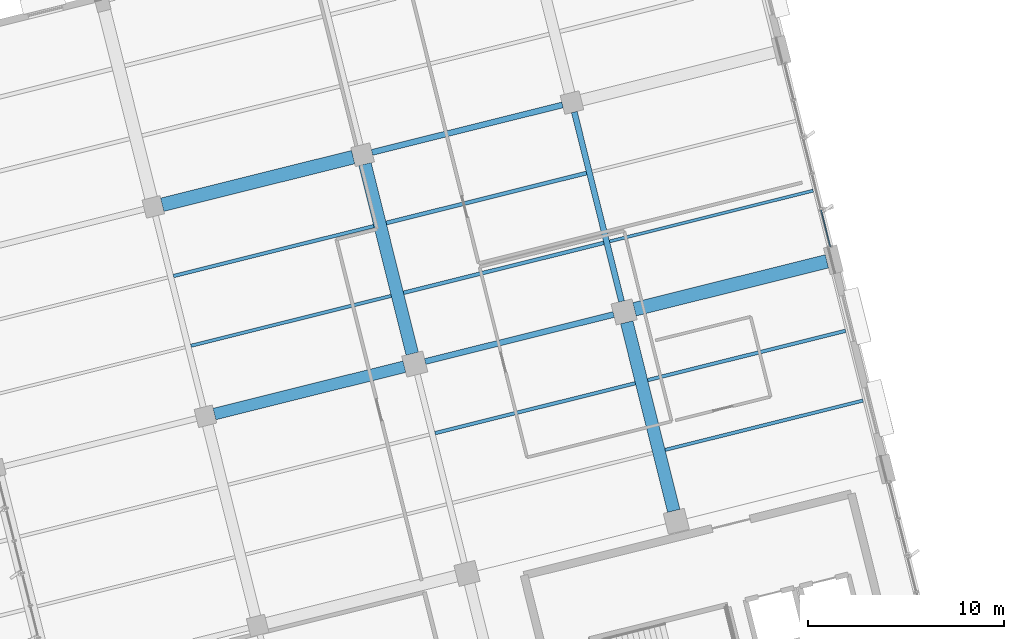
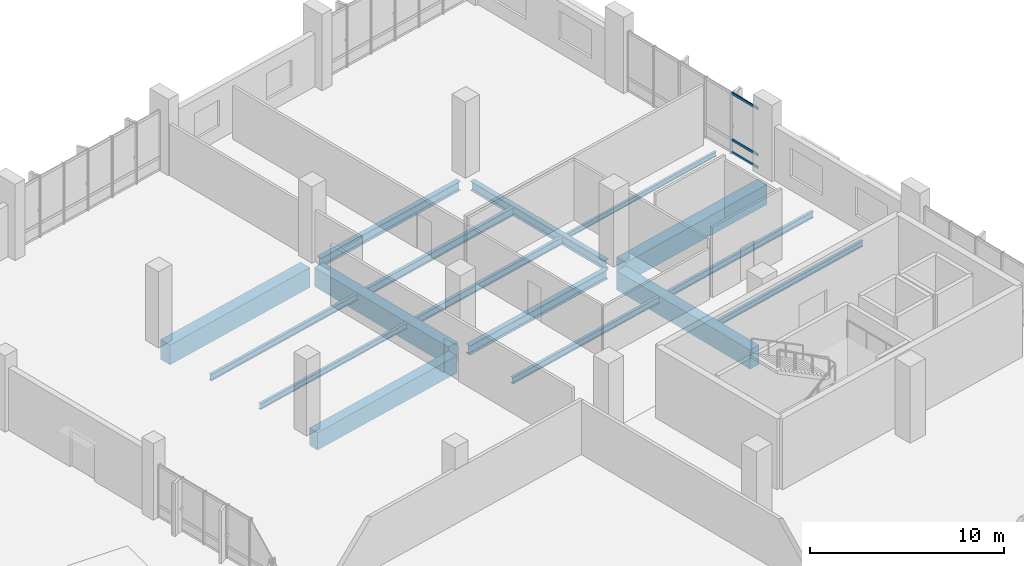
# One storey, part 96 of 137: 16 beams, 3 members, 1 element without a shape of its own.
"""IFC4 building model written with IfcOpenShell, lengths in metres."""

import ifcopenshell
import ifcopenshell.guid

model = None  # the IFC model being written
_history = None  # IfcOwnerHistory: only IFC2X3 demands one
_inside = {}  # id of a spatial element -> (the spatial element, [elements in it])
_under = {}  # id of a project, library or spatial element -> (it, [spatial elements below it])
_declared = {}  # id of a project -> (the project, [libraries it declares])
_typed = {}  # id of a type object -> (the type object, [elements of that type])
_made_of = {}  # id of a material, layer set ... -> (it, [elements and type objects made of it])


def new_model(schema):
    """Start an empty IFC model of exactly this schema.

    Asked for "IFC4X3", IfcOpenShell would pick the latest addendum, in which some entities
    have other attributes; the version numbers below select the first issue.
    IFC2X3 requires an IfcOwnerHistory on every rooted entity: one is made here for all.
    """
    global model, _history
    if schema == "IFC4X3":
        model = ifcopenshell.file(schema_version=(4, 3, 0, 0))
    else:
        model = ifcopenshell.file(schema=schema)
    _inside.clear()
    _under.clear()
    _declared.clear()
    _typed.clear()
    _made_of.clear()
    _history = None
    if model.schema == "IFC2X3":
        org = make("IfcOrganization", Name="unknown")
        user = make(
            "IfcPersonAndOrganization",
            ThePerson=make("IfcPerson", FamilyName="unknown"),
            TheOrganization=org,
        )
        app = make(
            "IfcApplication",
            ApplicationDeveloper=org,
            Version="unknown",
            ApplicationFullName="unknown",
            ApplicationIdentifier="unknown",
        )
        _history = make(
            "IfcOwnerHistory",
            OwningUser=user,
            OwningApplication=app,
            ChangeAction="ADDED",
            CreationDate=0,
        )
    return model


def make(cls, **values):
    """One entity of the class cls with the attributes given. An attribute that is None is left unset."""
    return model.create_entity(
        cls, **{name: value for name, value in values.items() if value is not None}
    )


def rooted(cls, **values):
    """An entity with a GlobalId (a new one), such as an element, a storey or a relation."""
    return make(cls, GlobalId=ifcopenshell.guid.new(), OwnerHistory=_history, **values)


def si_unit(unit_type, name, prefix=None):
    """IfcSIUnit, for example si_unit("LENGTHUNIT", "METRE", prefix="MILLI")."""
    return make("IfcSIUnit", UnitType=unit_type, Prefix=prefix, Name=name)


def assignment(units):
    """IfcUnitAssignment: the units of a project."""
    return None if units is None else make("IfcUnitAssignment", Units=units)


def point(xyz):
    """IfcCartesianPoint."""
    return None if xyz is None else make("IfcCartesianPoint", Coordinates=xyz)


def direction(xyz):
    """IfcDirection."""
    return None if xyz is None else make("IfcDirection", DirectionRatios=xyz)


def frame(location, z_axis=None, x_axis=None):
    """IfcAxis2Placement3D, a coordinate frame: its origin and axes. An axis left out is left unset."""
    return make(
        "IfcAxis2Placement3D",
        Location=point(location),
        Axis=direction(z_axis),
        RefDirection=direction(x_axis),
    )


def frame_2d(location, x_axis=None):
    """IfcAxis2Placement2D, a coordinate frame in the plane: its origin and x axis."""
    return make(
        "IfcAxis2Placement2D", Location=point(location), RefDirection=direction(x_axis)
    )


def origin():
    """The frame at (0, 0, 0) with its axes left unset."""
    return frame((0.0, 0.0, 0.0))


def origin_2d():
    """The frame at (0, 0) in the plane with its x axis left unset."""
    return frame_2d((0.0, 0.0))


def place(relative_to, where):
    """IfcLocalPlacement: puts the frame where relative to a parent placement (None: the world)."""
    return make(
        "IfcLocalPlacement", PlacementRelTo=relative_to, RelativePlacement=where
    )


def context(
    kind, dimensions, precision=None, world=None, true_north=None, identifier=None
):
    """IfcGeometricRepresentationContext, for example the 3D "Model" context."""
    return make(
        "IfcGeometricRepresentationContext",
        ContextIdentifier=identifier,
        ContextType=kind,
        CoordinateSpaceDimension=dimensions,
        Precision=precision,
        WorldCoordinateSystem=world,
        TrueNorth=true_north,
    )


def subcontext(parent, identifier, kind, view, scale=None):
    """IfcGeometricRepresentationSubContext, for example "Body" below "Model"."""
    return make(
        "IfcGeometricRepresentationSubContext",
        ContextIdentifier=identifier,
        ContextType=kind,
        ParentContext=parent,
        TargetScale=scale,
        TargetView=view,
    )


def project(units=None, contexts=None):
    """IfcProject with its units and contexts."""
    return rooted(
        "IfcProject",
        Name="project",
        RepresentationContexts=contexts,
        UnitsInContext=assignment(units),
    )


def spatial(cls, under=None, at=None, **own):
    """A site, building, storey or space (cls), placed at a placement, below another one or the project."""
    s = rooted(cls, ObjectPlacement=at, **own)
    if under is not None:
        _under.setdefault(under.id(), (under, []))[1].append(s)
    return s


def profile(cls, at=None, kind="AREA", **sizes):
    """A parametric profile (cls). Its sizes go by their IFC names, for example OverallWidth=200.0."""
    return make(cls, ProfileType=kind, Position=at, **sizes)


def rectangle(**sizes):
    """IfcRectangleProfileDef."""
    return profile("IfcRectangleProfileDef", **sizes)


def hollow_rectangle(**sizes):
    """IfcRectangleHollowProfileDef."""
    return profile("IfcRectangleHollowProfileDef", **sizes)


def i_section(**sizes):
    """IfcIShapeProfileDef."""
    return profile("IfcIShapeProfileDef", **sizes)


def extrude(swept, where, along, depth):
    """IfcExtrudedAreaSolid: the profile swept, set in the frame where, extruded along a direction by depth."""
    return make(
        "IfcExtrudedAreaSolid",
        SweptArea=swept,
        Position=where,
        ExtrudedDirection=direction(along),
        Depth=depth,
    )


def shape(context_of_items, identifier, shape_type, items):
    """IfcShapeRepresentation: the items that make up one representation, for example the "Body"."""
    return make(
        "IfcShapeRepresentation",
        ContextOfItems=context_of_items,
        RepresentationIdentifier=identifier,
        RepresentationType=shape_type,
        Items=items,
    )


def material(Name=None, Category=None):
    """IfcMaterial."""
    return make("IfcMaterial", Name=Name, Category=Category)


def layer(
    of_material, thickness, ventilated=None, Name=None, Category=None, Priority=None
):
    """IfcMaterialLayer: one layer of a wall or slab, of a material (None: an air gap)."""
    return make(
        "IfcMaterialLayer",
        Material=of_material,
        LayerThickness=thickness,
        IsVentilated=ventilated,
        Name=Name,
        Category=Category,
        Priority=Priority,
    )


def layer_set(layers, Name=None):
    """IfcMaterialLayerSet."""
    return make("IfcMaterialLayerSet", MaterialLayers=layers, LayerSetName=Name)


def material_profile(
    of_material, cross_section, Name=None, Category=None, Priority=None
):
    """IfcMaterialProfile: a cross section and its material."""
    return make(
        "IfcMaterialProfile",
        Name=Name,
        Material=of_material,
        Profile=cross_section,
        Priority=Priority,
        Category=Category,
    )


def profile_set(profiles, Name=None, composite=None):
    """IfcMaterialProfileSet."""
    return make(
        "IfcMaterialProfileSet",
        Name=Name,
        MaterialProfiles=profiles,
        CompositeProfile=composite,
    )


def made_of(thing, what):
    """Note that an element or type object is made of a material, layer set ...; save() writes the relation."""
    if what is not None:
        _made_of.setdefault(what.id(), (what, []))[1].append(thing)
    return thing


def type_object(cls, material=None, **own):
    """A type object (cls), such as IfcWallType, which elements share."""
    return made_of(rooted(cls, **own), material)


def element(
    cls,
    number,
    at=None,
    inside=None,
    cuts=None,
    type_object=None,
    material=None,
    context=None,
    identifier="Body",
    shape_type=None,
    held_by="IfcProductDefinitionShape",
    body=None,
    shapes=None,
    **own,
):
    """One element of the class cls, such as IfcWall. Its Tag is "e" and its number.

    at: its placement. inside: the storey or other place that contains it. cuts: it is an
    opening in that element (IfcRelVoidsElement). A single representation is given by context,
    identifier, shape_type and body (its items); several are given by shapes. held_by: the class
    of the entity that holds the representations. save() writes the other relations.
    """
    e = rooted(cls, Tag="e%d" % number, ObjectPlacement=at, **own)
    if body is not None:
        shapes = [shape(context, identifier, shape_type, body)]
    if shapes is not None:
        e.Representation = make(held_by, Representations=shapes)
    if inside is not None:
        _inside.setdefault(inside.id(), (inside, []))[1].append(e)
    if cuts is not None:
        rooted(
            "IfcRelVoidsElement", RelatingBuildingElement=cuts, RelatedOpeningElement=e
        )
    if type_object is not None:
        _typed.setdefault(type_object.id(), (type_object, []))[1].append(e)
    return made_of(e, material)


def aggregate(whole, parts):
    """IfcRelAggregates: a whole, such as a stair, and the parts it consists of."""
    return rooted("IfcRelAggregates", RelatingObject=whole, RelatedObjects=parts)


def save(model, path):
    """Write the relations noted so far, then the file.

    IfcRelAggregates (storeys below a building ...), IfcRelContainedInSpatialStructure (elements
    in a storey), IfcRelDefinesByType, IfcRelAssociatesMaterial and IfcRelDeclares: one each for
    every whole, place, type object, material and project.
    """
    for whole, parts in _under.values():
        aggregate(whole, parts)
    for where, things in _inside.values():
        rooted(
            "IfcRelContainedInSpatialStructure",
            RelatedElements=things,
            RelatingStructure=where,
        )
    for kind, things in _typed.values():
        rooted("IfcRelDefinesByType", RelatedObjects=things, RelatingType=kind)
    for what, things in _made_of.values():
        rooted("IfcRelAssociatesMaterial", RelatedObjects=things, RelatingMaterial=what)
    for by, libraries in _declared.values():
        rooted("IfcRelDeclares", RelatingContext=by, RelatedDefinitions=libraries)
    model.write(path)


model = new_model("IFC4")

# Units and contexts
model_context = context("Model", 3, precision=1e-05, world=origin(), true_north=direction((0.0, 1.0)))
body_context = subcontext(model_context, "Body", "Model", "MODEL_VIEW")
ifc_project = project(units=[si_unit("LENGTHUNIT", "METRE"), si_unit("AREAUNIT", "SQUARE_METRE"), si_unit("VOLUMEUNIT", "CUBIC_METRE"), si_unit("PLANEANGLEUNIT", "RADIAN"), si_unit("MASSUNIT", "GRAM", prefix="KILO")], contexts=[model_context])

# Site, building, storey
site_placement = place(None, origin())
site = spatial("IfcSite", under=ifc_project, at=site_placement, CompositionType="ELEMENT")
building_placement = place(site_placement, origin())
building = spatial("IfcBuilding", under=site, at=building_placement, Name="Khorjan Park Terminus", CompositionType="ELEMENT")
storey_placement = place(building_placement, frame((0.0, 0.0, 11.4)))
storey = spatial("IfcBuildingStorey", under=building, at=storey_placement, Name="L02", CompositionType="ELEMENT", Elevation=11.4)

# Beams
ifc_material_1 = material(Name="Steel S355", Category="steel")
ifc_material_profile_1 = material_profile(ifc_material_1, i_section(OverallWidth=0.3, OverallDepth=0.59, WebThickness=0.013, FlangeThickness=0.025, FilletRadius=0.027, at=origin_2d()), Name="HEA 600")
ifc_profile_set_1 = profile_set([ifc_material_profile_1], Name="Steel S355")
beam_type_1 = type_object("IfcBeamType", Name="BM-HEA600", PredefinedType="BEAM", material=ifc_profile_set_1)
beam_1_placement = place(storey_placement, frame((198.5773, 55.4694, -0.635), z_axis=(0.970294265828, 0.24192775306, 0.0), x_axis=(-0.24192775306, 0.970294265828, 0.0)))
element("IfcBeam", 1, at=beam_1_placement, inside=storey, type_object=beam_type_1, Name="Primary skew-grid floor girder SB-A60 (L02)", PredefinedType="BEAM", context=body_context, shape_type="SweptSolid", body=[
    extrude(i_section(OverallWidth=0.3, OverallDepth=0.59, WebThickness=0.013, FlangeThickness=0.025, FilletRadius=0.027, at=origin_2d()), origin(), (0.0, 0.0, 1.0), 9.91),
])
beam_2_placement = place(storey_placement, frame((195.8676, 66.1306, -0.635), z_axis=(0.970296854054, 0.241917372283, 0.0), x_axis=(-0.241917372283, 0.970296854054, 0.0)))
element("IfcBeam", 2, at=beam_2_placement, inside=storey, type_object=beam_type_1, Name="Primary skew-grid floor girder SB-A60 (L02)", PredefinedType="BEAM", context=body_context, shape_type="SweptSolid", body=[
    extrude(i_section(OverallWidth=0.3, OverallDepth=0.59, WebThickness=0.013, FlangeThickness=0.025, FilletRadius=0.027, at=origin_2d()), origin(), (0.0, 0.0, 1.0), 10.01),
])
beam_3_placement = place(storey_placement, frame((208.5899, 58.5275, -0.635), z_axis=(-0.241926084459, 0.970294681867, 0.0), x_axis=(-0.970294681867, -0.241926084459, 0.0)))
element("IfcBeam", 3, at=beam_3_placement, inside=storey, type_object=beam_type_1, Name="Primary skew-grid floor girder SB-A60 (L02)", PredefinedType="BEAM", context=body_context, shape_type="SweptSolid", body=[
    extrude(i_section(OverallWidth=0.3, OverallDepth=0.59, WebThickness=0.013, FlangeThickness=0.025, FilletRadius=0.027, at=origin_2d()), origin(), (0.0, 0.0, 1.0), 9.9601),
])
ifc_material_2 = material(Name="Concrete C40/50", Category="concrete")
ifc_material_profile_2 = material_profile(ifc_material_2, rectangle(XDim=0.6, YDim=1.1, at=origin_2d()), Name="RC 600x1100")
ifc_profile_set_2 = profile_set([ifc_material_profile_2], Name="Concrete C40/50")
beam_type_2 = type_object("IfcBeamType", Name="BM-RC600x1100", PredefinedType="BEAM", material=ifc_profile_set_2)
beam_4_placement = place(storey_placement, frame((187.8312, 52.7901, -0.89), z_axis=(0.970295477616, 0.241922892916, 0.0), x_axis=(-0.241922892916, 0.970295477616, 0.0)))
element("IfcBeam", 4, at=beam_4_placement, inside=storey, type_object=beam_type_2, Name="Primary skew-grid floor girder GB-11 (L02)", PredefinedType="BEAM", context=body_context, shape_type="SweptSolid", body=[
    extrude(rectangle(XDim=0.6, YDim=1.1, at=origin_2d()), origin(), (0.0, 0.0, 1.0), 9.985),
])
ifc_material_profile_3 = material_profile(ifc_material_2, rectangle(XDim=0.65, YDim=1.2, at=origin_2d()), Name="RC 650x1200")
ifc_profile_set_3 = profile_set([ifc_material_profile_3], Name="Concrete C40/50")
beam_type_3 = type_object("IfcBeamType", Name="BM-RC650x1200", PredefinedType="BEAM", material=ifc_profile_set_3)
beam_5_placement = place(storey_placement, frame((197.9166, 55.8664, -0.94), z_axis=(-0.241918988709, 0.970296451041, 0.0), x_axis=(-0.970296451041, -0.241918988709, 0.0)))
element("IfcBeam", 5, at=beam_5_placement, inside=storey, type_object=beam_type_3, Name="Primary skew-grid floor girder GB-12 (L02)", PredefinedType="BEAM", context=body_context, shape_type="SweptSolid", body=[
    extrude(rectangle(XDim=0.65, YDim=1.2, at=origin_2d()), origin(), (0.0, 0.0, 1.0), 9.9599),
])
beam_6_placement = place(storey_placement, frame((211.251, 47.8543, -0.94), z_axis=(-0.24192775306, 0.970294265828, 0.0), x_axis=(-0.970294265828, -0.24192775306, 0.0)))
element("IfcBeam", 6, at=beam_6_placement, inside=storey, type_object=beam_type_3, Name="Primary skew-grid floor girder GB-12 (L02)", PredefinedType="BEAM", context=body_context, shape_type="SweptSolid", body=[
    extrude(rectangle(XDim=0.65, YDim=1.2, at=origin_2d()), origin(), (0.0, 0.0, 1.0), 9.91),
])
ifc_material_profile_4 = material_profile(ifc_material_2, rectangle(XDim=0.7, YDim=1.25, at=origin_2d()), Name="RC 700x1250")
ifc_profile_set_4 = profile_set([ifc_material_profile_4], Name="Concrete C40/50")
beam_type_4 = type_object("IfcBeamType", Name="BM-RC700x1250", PredefinedType="BEAM", material=ifc_profile_set_4)
beam_7_placement = place(storey_placement, frame((209.2505, 58.1306, -0.965), z_axis=(0.970296490369, 0.241918830968, 0.0), x_axis=(-0.241918830968, 0.970296490369, 0.0)))
element("IfcBeam", 7, at=beam_7_placement, inside=storey, type_object=beam_type_4, Name="Primary skew-grid floor girder GB-125 (L02)", PredefinedType="BEAM", context=body_context, shape_type="SweptSolid", body=[
    extrude(rectangle(XDim=0.7, YDim=1.25, at=origin_2d()), origin(), (0.0, 0.0, 1.0), 10.11),
])
beam_8_placement = place(storey_placement, frame((185.1701, 63.4634, -0.965), z_axis=(0.970295301267, 0.24192360021, 0.0), x_axis=(-0.24192360021, 0.970295301267, 0.0)))
element("IfcBeam", 8, at=beam_8_placement, inside=storey, type_object=beam_type_4, Name="Primary skew-grid floor girder GB-125 (L02)", PredefinedType="BEAM", context=body_context, shape_type="SweptSolid", body=[
    extrude(rectangle(XDim=0.7, YDim=1.25, at=origin_2d()), origin(), (0.0, 0.0, 1.0), 10.035),
])
ifc_material_profile_5 = material_profile(ifc_material_1, i_section(OverallWidth=0.15, OverallDepth=0.3, WebThickness=0.0071, FlangeThickness=0.0107, FilletRadius=0.015, at=origin_2d()), Name="IPE 300")
ifc_profile_set_5 = profile_set([ifc_material_profile_5], Name="Steel S355")
beam_type_5 = type_object("IfcBeamType", Name="JS-IPE300", PredefinedType="JOIST", material=ifc_profile_set_5)
beam_9_placement = place(storey_placement, frame((207.9802, 61.5928, -0.49), z_axis=(0.970295138144, 0.241924254455, 0.0), x_axis=(-0.241924254455, 0.970295138144, 0.0)))
element("IfcBeam", 9, at=beam_9_placement, inside=storey, type_object=beam_type_5, Name="Secondary composite floor joist SJ-30 (L02)", PredefinedType="JOIST", context=body_context, shape_type="SweptSolid", body=[
    extrude(i_section(OverallWidth=0.15, OverallDepth=0.3, WebThickness=0.0071, FlangeThickness=0.0107, FilletRadius=0.015, at=origin_2d()), origin(), (0.0, 0.0, 1.0), 10.7),
])
ifc_material_profile_6 = material_profile(ifc_material_1, i_section(OverallWidth=0.17, OverallDepth=0.36, WebThickness=0.008, FlangeThickness=0.0127, FilletRadius=0.018, at=origin_2d()), Name="IPE 360")
ifc_profile_set_6 = profile_set([ifc_material_profile_6], Name="Steel S355")
beam_type_6 = type_object("IfcBeamType", Name="JS-IPE360", PredefinedType="JOIST", material=ifc_profile_set_6)
beam_10_placement = place(storey_placement, frame((186.6337, 56.2705, -0.52), z_axis=(0.970296002015, 0.241920789668, 0.0), x_axis=(-0.241920789668, 0.970296002015, 0.0)))
element("IfcBeam", 10, at=beam_10_placement, inside=storey, type_object=beam_type_6, Name="Secondary composite floor joist SJ-36 (L02)", PredefinedType="JOIST", context=body_context, shape_type="SweptSolid", body=[
    extrude(i_section(OverallWidth=0.17, OverallDepth=0.36, WebThickness=0.008, FlangeThickness=0.0127, FilletRadius=0.018, at=origin_2d()), origin(), (0.0, 0.0, 1.0), 10.5249),
])
beam_11_placement = place(storey_placement, frame((210.8111, 50.9619, -0.52), z_axis=(0.970295586552, 0.241922456002, 0.0), x_axis=(-0.241922456002, 0.970295586552, 0.0)))
element("IfcBeam", 11, at=beam_11_placement, inside=storey, type_object=beam_type_6, Name="Secondary composite floor joist SJ-36 (L02)", PredefinedType="JOIST", context=body_context, shape_type="SweptSolid", body=[
    extrude(i_section(OverallWidth=0.17, OverallDepth=0.36, WebThickness=0.008, FlangeThickness=0.0127, FilletRadius=0.018, at=origin_2d()), origin(), (0.0, 0.0, 1.0), 10.4),
])
ifc_material_profile_7 = material_profile(ifc_material_1, i_section(OverallWidth=0.18, OverallDepth=0.4, WebThickness=0.0086, FlangeThickness=0.0135, FilletRadius=0.021, at=origin_2d()), Name="IPE 400")
ifc_profile_set_7 = profile_set([ifc_material_profile_7], Name="Steel S355")
beam_type_7 = type_object("IfcBeamType", Name="JS-IPE400", PredefinedType="JOIST", material=ifc_profile_set_7)
beam_12_placement = place(storey_placement, frame((185.7467, 59.8282, -0.54), z_axis=(0.970296002015, 0.241920789668, 0.0), x_axis=(-0.241920789668, 0.970296002015, 0.0)))
element("IfcBeam", 12, at=beam_12_placement, inside=storey, type_object=beam_type_7, Name="Secondary composite floor joist SJ-40 (L02)", PredefinedType="JOIST", context=body_context, shape_type="SweptSolid", body=[
    extrude(i_section(OverallWidth=0.18, OverallDepth=0.4, WebThickness=0.0086, FlangeThickness=0.0135, FilletRadius=0.021, at=origin_2d()), origin(), (0.0, 0.0, 1.0), 10.5249),
])
beam_13_placement = place(storey_placement, frame((199.081, 51.8161, -0.54), z_axis=(0.970296558074, 0.241918559415, 0.0), x_axis=(-0.241918559415, 0.970296558074, 0.0)))
element("IfcBeam", 13, at=beam_13_placement, inside=storey, type_object=beam_type_7, Name="Secondary composite floor joist SJ-40 (L02)", PredefinedType="JOIST", context=body_context, shape_type="SweptSolid", body=[
    extrude(i_section(OverallWidth=0.18, OverallDepth=0.4, WebThickness=0.0086, FlangeThickness=0.0135, FilletRadius=0.021, at=origin_2d()), origin(), (0.0, 0.0, 1.0), 10.525),
])
beam_14_placement = place(storey_placement, frame((209.9241, 54.5196, -0.54), z_axis=(0.970297843589, 0.241913403364, 0.0), x_axis=(-0.241913403364, 0.970297843589, 0.0)))
element("IfcBeam", 14, at=beam_14_placement, inside=storey, type_object=beam_type_7, Name="Secondary composite floor joist SJ-40 (L02)", PredefinedType="JOIST", context=body_context, shape_type="SweptSolid", body=[
    extrude(i_section(OverallWidth=0.18, OverallDepth=0.4, WebThickness=0.0086, FlangeThickness=0.0135, FilletRadius=0.021, at=origin_2d()), origin(), (0.0, 0.0, 1.0), 10.4),
])
ifc_material_profile_8 = material_profile(ifc_material_1, i_section(OverallWidth=0.19, OverallDepth=0.45, WebThickness=0.0094, FlangeThickness=0.0146, FilletRadius=0.021, at=origin_2d()), Name="IPE 450")
ifc_profile_set_8 = profile_set([ifc_material_profile_8], Name="Steel S355")
beam_type_8 = type_object("IfcBeamType", Name="JS-IPE450", PredefinedType="JOIST", material=ifc_profile_set_8)
beam_15_placement = place(storey_placement, frame((197.4767, 58.974, -0.565), z_axis=(0.970296558074, 0.241918559415, 0.0), x_axis=(-0.241918559415, 0.970296558074, 0.0)))
element("IfcBeam", 15, at=beam_15_placement, inside=storey, type_object=beam_type_8, Name="Secondary composite floor joist SJ-45 (L02)", PredefinedType="JOIST", context=body_context, shape_type="SweptSolid", body=[
    extrude(i_section(OverallWidth=0.19, OverallDepth=0.45, WebThickness=0.0094, FlangeThickness=0.0146, FilletRadius=0.021, at=origin_2d()), origin(), (0.0, 0.0, 1.0), 10.525),
])
ifc_material_profile_9 = material_profile(ifc_material_1, i_section(OverallWidth=0.2, OverallDepth=0.5, WebThickness=0.0102, FlangeThickness=0.016, FilletRadius=0.021, at=origin_2d()), Name="IPE 500")
ifc_profile_set_9 = profile_set([ifc_material_profile_9], Name="Steel S355")
beam_type_9 = type_object("IfcBeamType", Name="JS-IPE500", PredefinedType="JOIST", material=ifc_profile_set_9)
beam_16_placement = place(storey_placement, frame((196.5897, 62.5317, -0.59), z_axis=(0.970296558074, 0.241918559415, 0.0), x_axis=(-0.241918559415, 0.970296558074, 0.0)))
element("IfcBeam", 16, at=beam_16_placement, inside=storey, type_object=beam_type_9, Name="Secondary composite floor joist SJ-50 (L02)", PredefinedType="JOIST", context=body_context, shape_type="SweptSolid", body=[
    extrude(i_section(OverallWidth=0.2, OverallDepth=0.5, WebThickness=0.0102, FlangeThickness=0.016, FilletRadius=0.021, at=origin_2d()), origin(), (0.0, 0.0, 1.0), 10.525),
])

# Curtain wall, members
ifc_material_3 = material(Name="Anodized Bronze Aluminium", Category="aluminium")
ifc_layer = layer(ifc_material_3, 0.22)
ifc_layer_set = layer_set([ifc_layer], Name="Anodized Bronze Aluminium")
curtain_wall_type = type_object("IfcCurtainWallType", Name="CW-OPS-B", PredefinedType="NOTDEFINED", material=ifc_layer_set)
curtain_wall_placement = place(storey_placement, origin())
curtain_wall = element("IfcCurtainWall", 17, at=curtain_wall_placement, inside=storey, type_object=curtain_wall_type, Name="Unitized curtain wall CW-B (CW-V5-E-L02-B05)", PredefinedType="NOTDEFINED")
ifc_material_profile_10 = material_profile(ifc_material_3, hollow_rectangle(XDim=0.07, YDim=0.16, WallThickness=0.004, InnerFilletRadius=0.004, OuterFilletRadius=0.008, at=origin_2d()), Name="ALT 70x160x4")
ifc_profile_set_10 = profile_set([ifc_material_profile_10], Name="Anodized Bronze Aluminium")
member_type = type_object("IfcMemberType", Name="TR-ALT-160", PredefinedType="USERDEFINED", material=ifc_profile_set_10)
member_1_placement = place(storey_placement, frame((219.2305, 61.3198, 0.04), z_axis=(-0.241913157049, 0.970297905, 0.0), x_axis=(-0.970297905, -0.241913157049, 0.0)))
member_1 = element("IfcMember", 18, at=member_1_placement, type_object=member_type, Name="Curtain-wall transom TR-16 (CW-V5-E-L02-B05-0-1)", ObjectType="TRANSOM", PredefinedType="USERDEFINED", context=body_context, shape_type="SweptSolid", body=[
    extrude(hollow_rectangle(XDim=0.07, YDim=0.16, WallThickness=0.004, InnerFilletRadius=0.004, OuterFilletRadius=0.008, at=origin_2d()), origin(), (0.0, 0.0, 1.0), 1.928),
])
member_2_placement = place(storey_placement, frame((219.2305, 61.3198, 0.833), z_axis=(-0.241913157049, 0.970297905, 0.0), x_axis=(-0.970297905, -0.241913157049, 0.0)))
member_2 = element("IfcMember", 19, at=member_2_placement, type_object=member_type, Name="Curtain-wall transom TR-16 (CW-V5-E-L02-B05-0-2)", ObjectType="TRANSOM", PredefinedType="USERDEFINED", context=body_context, shape_type="SweptSolid", body=[
    extrude(hollow_rectangle(XDim=0.07, YDim=0.16, WallThickness=0.004, InnerFilletRadius=0.004, OuterFilletRadius=0.008, at=origin_2d()), origin(), (0.0, 0.0, 1.0), 1.928),
])
member_3_placement = place(storey_placement, frame((219.2305, 61.3198, 3.745), z_axis=(-0.241913157049, 0.970297905, 0.0), x_axis=(-0.970297905, -0.241913157049, 0.0)))
member_3 = element("IfcMember", 20, at=member_3_placement, type_object=member_type, Name="Curtain-wall transom TR-16 (CW-V5-E-L02-B05-0-3)", ObjectType="TRANSOM", PredefinedType="USERDEFINED", context=body_context, shape_type="SweptSolid", body=[
    extrude(hollow_rectangle(XDim=0.07, YDim=0.16, WallThickness=0.004, InnerFilletRadius=0.004, OuterFilletRadius=0.008, at=origin_2d()), origin(), (0.0, 0.0, 1.0), 1.928),
])
aggregate(curtain_wall, [member_1, member_2, member_3])

save(model, "model.ifc")
